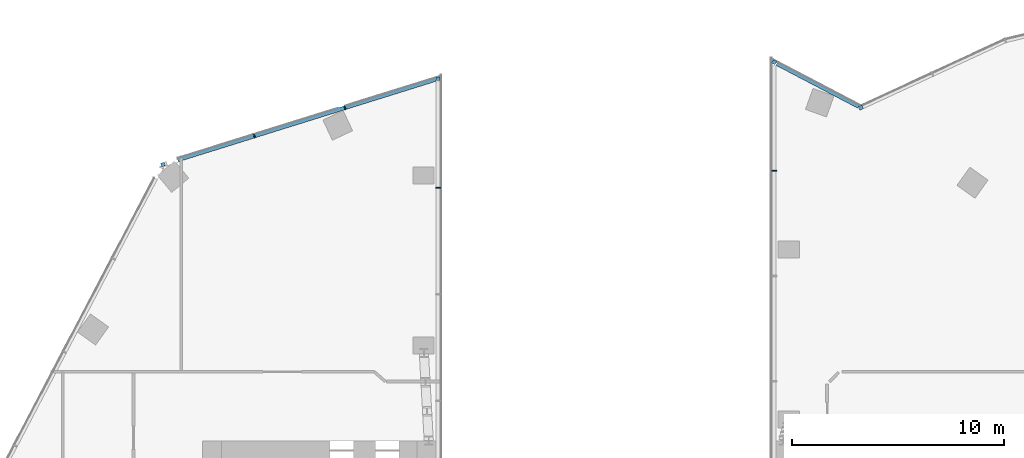
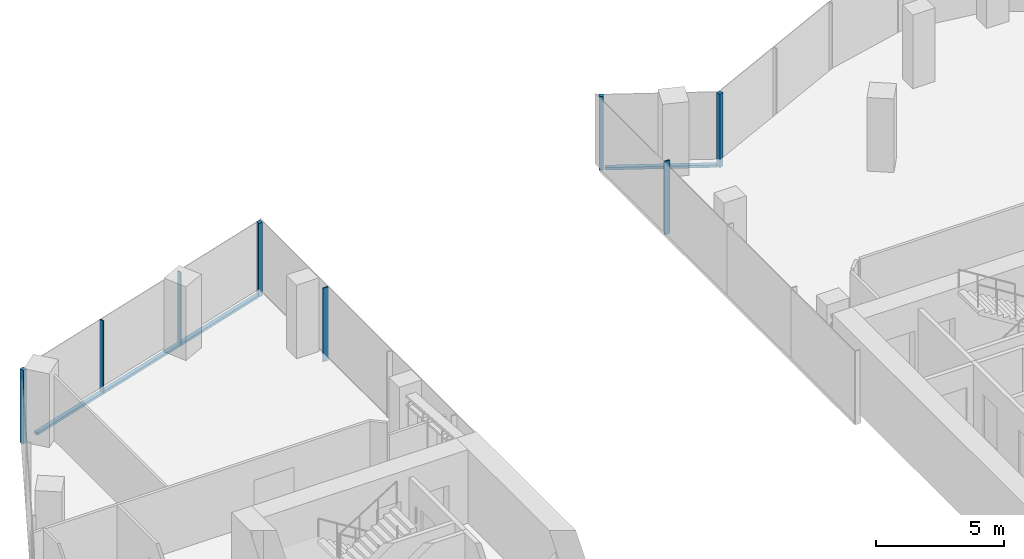
# One storey, part 10 of 23: 10 members, 5 elements without a shape of their own.
"""IFC4 building model written with IfcOpenShell, lengths in metres."""

from ifc_helpers import new_model, si_unit, direction, frame, origin, origin_2d, place, context, subcontext, project, spatial, rectangle, extrude, material, material_profile, profile_set, type_object, element, aggregate, save


model = new_model("IFC4")

# Units and contexts
model_context = context("Model", 3, precision=1e-05, world=origin(), true_north=direction((0.0, 1.0)))
body_context = subcontext(model_context, "Body", "Model", "MODEL_VIEW")
ifc_project = project(units=[si_unit("LENGTHUNIT", "METRE"), si_unit("AREAUNIT", "SQUARE_METRE"), si_unit("VOLUMEUNIT", "CUBIC_METRE"), si_unit("PLANEANGLEUNIT", "RADIAN"), si_unit("MASSUNIT", "GRAM", prefix="KILO")], contexts=[model_context])

# Site, building, storey
site_placement = place(None, origin())
site = spatial("IfcSite", under=ifc_project, at=site_placement, CompositionType="ELEMENT")
building_placement = place(site_placement, origin())
building = spatial("IfcBuilding", under=site, at=building_placement, Name="Orlundy Tower", CompositionType="ELEMENT")
storey_placement = place(building_placement, frame((0.0, 0.0, 264.0)))
storey = spatial("IfcBuildingStorey", under=building, at=storey_placement, Name="L70", CompositionType="ELEMENT", Elevation=264.0)

# Curtain wall, member
ifc_material_1 = material(Name="Aluminium bronze anodised", Category="aluminium")
curtain_wall_type = type_object("IfcCurtainWallType", Name="CW1 wall", PredefinedType="NOTDEFINED", material=ifc_material_1)
curtain_wall_1_placement = place(storey_placement, origin())
curtain_wall_1 = element("IfcCurtainWall", 1, at=curtain_wall_1_placement, inside=storey, type_object=curtain_wall_type, Name="CW1 run 03", PredefinedType="NOTDEFINED")
ifc_material_2 = material(Name="Aluminium bronze anodised", Category="aluminium")
ifc_material_profile_1 = material_profile(ifc_material_2, rectangle(XDim=0.179931640625, YDim=0.179931640625, at=origin_2d()), Name="CW1 corner post 180x180")
ifc_profile_set_1 = profile_set([ifc_material_profile_1], Name="Aluminium bronze anodised")
member_type_1 = type_object("IfcMemberType", Name="CW1 corner post 180x180", PredefinedType="MULLION", material=ifc_profile_set_1)
member_1_placement = place(storey_placement, frame((-20.8623046875, 25.009765625, -0.39990234375), z_axis=(0.0, 0.0, 1.0), x_axis=(-0.297935263894, 0.954586077066, 0.0)))
member_1 = element("IfcMember", 2, at=member_1_placement, type_object=member_type_1, Name="CW1 mullion 13", PredefinedType="MULLION", context=body_context, shape_type="SweptSolid", body=[
    extrude(rectangle(XDim=0.179931640625, YDim=0.179931640625, at=origin_2d()), origin(), (0.0, 0.0, 1.0), 3.5),
])

curtain_wall_2_placement = place(storey_placement, origin())
curtain_wall_2 = element("IfcCurtainWall", 3, at=curtain_wall_2_placement, inside=storey, type_object=curtain_wall_type, Name="CW1 run 04", PredefinedType="NOTDEFINED")
member_2_placement = place(storey_placement, frame((-7.909912109375, 29.052490234375, -0.39990234375), z_axis=(0.0, 0.0, 1.0), x_axis=(1.0, 0.0, 0.0)))
member_2 = element("IfcMember", 4, at=member_2_placement, type_object=member_type_1, Name="CW1 mullion 16", PredefinedType="MULLION", context=body_context, shape_type="SweptSolid", body=[
    extrude(rectangle(XDim=0.179931640625, YDim=0.179931640625, at=origin_2d()), origin(), (0.0, 0.0, 1.0), 3.5),
])

curtain_wall_3_placement = place(storey_placement, origin())
curtain_wall_3 = element("IfcCurtainWall", 5, at=curtain_wall_3_placement, inside=storey, type_object=curtain_wall_type, Name="CW1 run 10", PredefinedType="NOTDEFINED")
member_3_placement = place(storey_placement, frame((11.993408203125, 27.687255859375, -0.39990234375), z_axis=(0.0, 0.0, 1.0), x_axis=(-0.419975748486, 0.907535327513, 0.0)))
member_3 = element("IfcMember", 6, at=member_3_placement, type_object=member_type_1, Name="CW1 mullion 1", PredefinedType="MULLION", context=body_context, shape_type="SweptSolid", body=[
    extrude(rectangle(XDim=0.179931640625, YDim=0.179931640625, at=origin_2d()), origin(), (0.0, 0.0, 1.0), 3.5),
])
aggregate(curtain_wall_3, [member_3])

curtain_wall_4_placement = place(storey_placement, origin())
curtain_wall_4 = element("IfcCurtainWall", 7, at=curtain_wall_4_placement, inside=storey, type_object=curtain_wall_type, Name="CW1 run 119", PredefinedType="NOTDEFINED")
member_4_placement = place(storey_placement, frame((7.909912109375, 29.827880859375, -0.39990234375), z_axis=(0.0, 0.0, 1.0), x_axis=(0.464264043147, 0.885696843305, 0.0)))
member_4 = element("IfcMember", 8, at=member_4_placement, type_object=member_type_1, Name="CW1 mullion 40", PredefinedType="MULLION", context=body_context, shape_type="SweptSolid", body=[
    extrude(rectangle(XDim=0.179931640625, YDim=0.179931640625, at=origin_2d()), origin(), (0.0, 0.0, 1.0), 3.5),
])

# Member
ifc_material_3 = material(Name="Aluminium bronze anodised", Category="aluminium")
ifc_material_profile_2 = material_profile(ifc_material_3, rectangle(XDim=0.179931640625, YDim=0.050048828125, at=origin_2d()), Name="CW1 mullion 50x180")
ifc_profile_set_2 = profile_set([ifc_material_profile_2], Name="Aluminium bronze anodised")
member_type_2 = type_object("IfcMemberType", Name="CW1 mullion 50x180", PredefinedType="MULLION", material=ifc_profile_set_2)
member_5_placement = place(storey_placement, frame((-16.56005859375, 26.3525390625, -0.39990234375), z_axis=(0.0, 0.0, 1.0), x_axis=(-0.297935263894, 0.954586077066, 0.0)))
member_5 = element("IfcMember", 9, at=member_5_placement, type_object=member_type_2, Name="CW1 mullion 14", PredefinedType="MULLION", context=body_context, shape_type="SweptSolid", body=[
    extrude(rectangle(XDim=0.179931640625, YDim=0.050048828125, at=origin_2d()), origin(), (0.0, 0.0, 1.0), 3.5),
])

member_6_placement = place(storey_placement, frame((-12.29345703125, 27.684326171875, -0.39990234375), z_axis=(0.0, 0.0, 1.0), x_axis=(-0.297935263894, 0.954586077066, 0.0)))
member_6 = element("IfcMember", 10, at=member_6_placement, type_object=member_type_2, Name="CW1 mullion 15", PredefinedType="MULLION", context=body_context, shape_type="SweptSolid", body=[
    extrude(rectangle(XDim=0.179931640625, YDim=0.050048828125, at=origin_2d()), origin(), (0.0, 0.0, 1.0), 3.5),
])

ifc_material_4 = material(Name="Aluminium bronze anodised", Category="aluminium")
ifc_material_profile_3 = material_profile(ifc_material_4, rectangle(XDim=0.179931640625, YDim=0.1201171875, at=origin_2d()), Name="CW1 transom 180x120")
ifc_profile_set_3 = profile_set([ifc_material_profile_3], Name="Aluminium bronze anodised")
member_type_3 = type_object("IfcMemberType", Name="CW1 transom 180x120", PredefinedType="USERDEFINED", material=ifc_profile_set_3)
member_7_placement = place(storey_placement, frame((-20.16455078125, 25.2275390625, -0.340087890625), z_axis=(0.95458514702, 0.297938243751, 0.0), x_axis=(-0.297938243751, 0.95458514702, 0.0)))
member_7 = element("IfcMember", 11, at=member_7_placement, type_object=member_type_3, Name="CW1 transom", ObjectType="TRANSOM", PredefinedType="USERDEFINED", context=body_context, shape_type="SweptSolid", body=[
    extrude(rectangle(XDim=0.179931640625, YDim=0.1201171875, at=origin_2d()), origin(), (0.0, 0.0, 1.0), 12.715087890625),
])

aggregate(curtain_wall_1, [member_1, member_5, member_6, member_7])

member_8_placement = place(storey_placement, frame((8.041748046875, 29.7587890625, -0.340087890625), z_axis=(0.88569522936, -0.464267122128, 0.0), x_axis=(0.464267122128, 0.88569522936, 0.0)))
member_8 = element("IfcMember", 12, at=member_8_placement, type_object=member_type_3, Name="CW1 transom", ObjectType="TRANSOM", PredefinedType="USERDEFINED", context=body_context, shape_type="SweptSolid", body=[
    extrude(rectangle(XDim=0.179931640625, YDim=0.1201171875, at=origin_2d()), origin(), (0.0, 0.0, 1.0), 4.348388671875),
])

aggregate(curtain_wall_4, [member_4, member_8])

ifc_material_5 = material(Name="Aluminium bronze anodised", Category="aluminium")
ifc_material_profile_4 = material_profile(ifc_material_5, rectangle(XDim=0.239990234375, YDim=0.050048828125, at=origin_2d()), Name="CW6 mullion 50x240")
ifc_profile_set_4 = profile_set([ifc_material_profile_4], Name="Aluminium bronze anodised")
member_type_4 = type_object("IfcMemberType", Name="CW6 mullion 50x240", PredefinedType="MULLION", material=ifc_profile_set_4)
member_9_placement = place(storey_placement, frame((-7.909912109375, 23.919189453125, -0.39990234375), z_axis=(0.0, 0.0, 1.0), x_axis=(1.0, 0.0, 0.0)))
member_9 = element("IfcMember", 13, at=member_9_placement, type_object=member_type_4, Name="CW6 mullion 17", PredefinedType="MULLION", context=body_context, shape_type="SweptSolid", body=[
    extrude(rectangle(XDim=0.239990234375, YDim=0.050048828125, at=origin_2d()), origin(), (0.0, 0.0, 1.0), 3.5),
])

aggregate(curtain_wall_2, [member_2, member_9])

# Curtain wall, member
curtain_wall_5_placement = place(storey_placement, origin())
curtain_wall_5 = element("IfcCurtainWall", 14, at=curtain_wall_5_placement, inside=storey, type_object=curtain_wall_type, Name="CW1 run 118", PredefinedType="NOTDEFINED")
member_10_placement = place(storey_placement, frame((7.909912109375, 24.72216796875, -0.39990234375), z_axis=(0.0, 0.0, 1.0), x_axis=(-1.0, 0.0, 0.0)))
member_10 = element("IfcMember", 15, at=member_10_placement, type_object=member_type_4, Name="CW6 mullion 39", PredefinedType="MULLION", context=body_context, shape_type="SweptSolid", body=[
    extrude(rectangle(XDim=0.239990234375, YDim=0.050048828125, at=origin_2d()), origin(), (0.0, 0.0, 1.0), 3.5),
])
aggregate(curtain_wall_5, [member_10])

save(model, "model.ifc")
